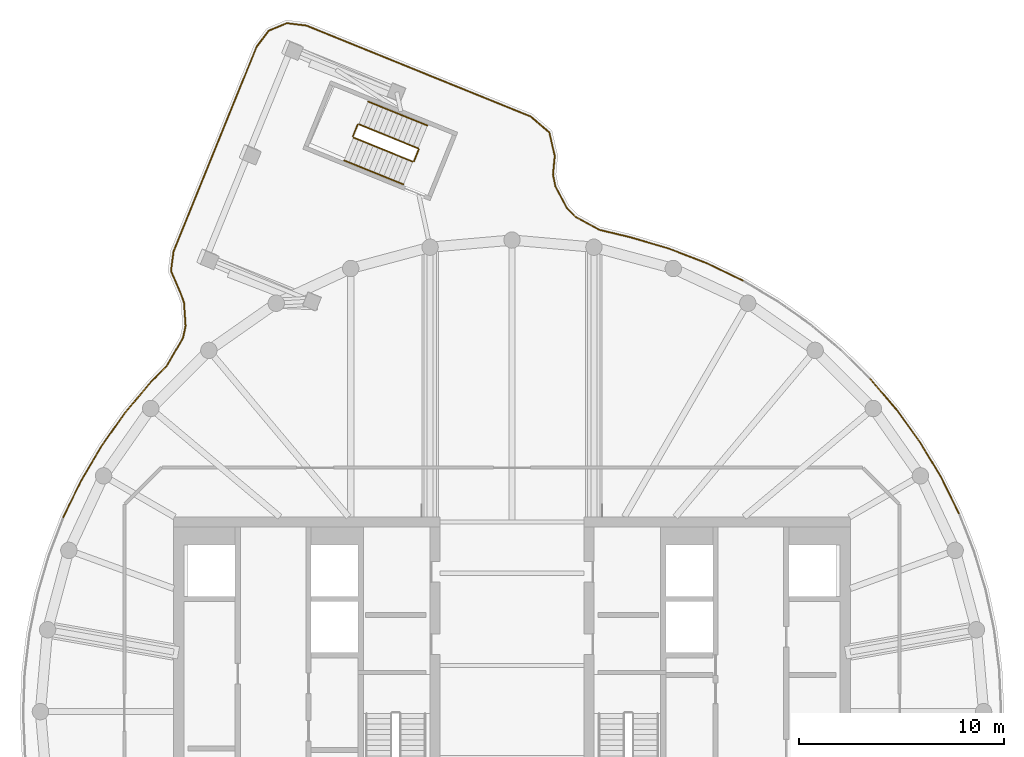
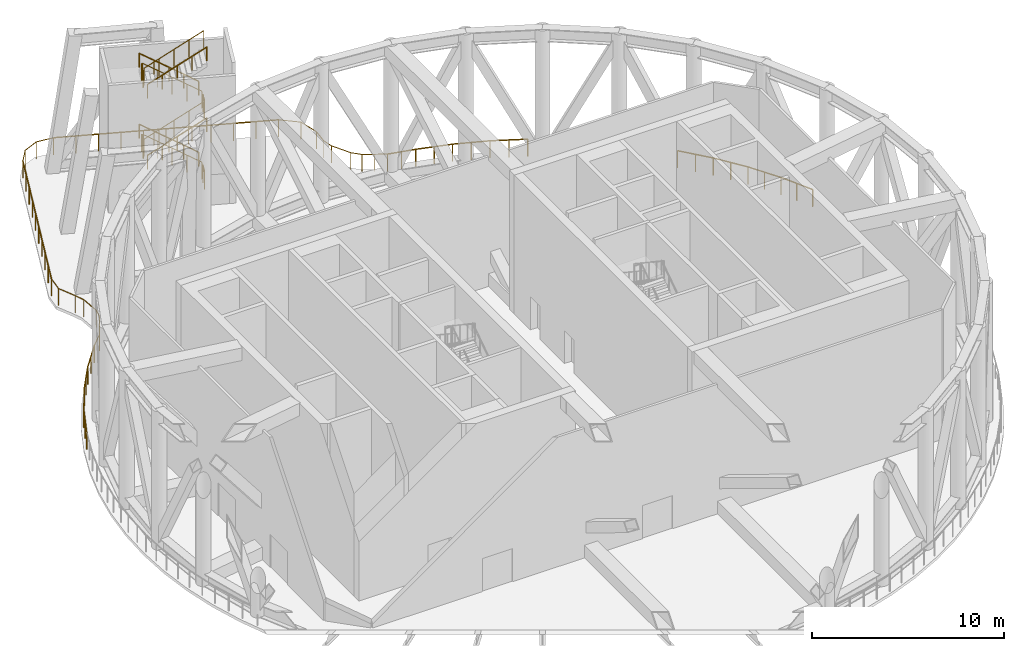
# One storey, part 9 of 10: 20 railings.
"""IFC4 building model written with IfcOpenShell, lengths in metres."""

import ifcopenshell
import ifcopenshell.guid

model = None  # the IFC model being written
_history = None  # IfcOwnerHistory: only IFC2X3 demands one
_inside = {}  # id of a spatial element -> (the spatial element, [elements in it])
_under = {}  # id of a project, library or spatial element -> (it, [spatial elements below it])
_declared = {}  # id of a project -> (the project, [libraries it declares])
_typed = {}  # id of a type object -> (the type object, [elements of that type])
_made_of = {}  # id of a material, layer set ... -> (it, [elements and type objects made of it])


def new_model(schema):
    """Start an empty IFC model of exactly this schema.

    Asked for "IFC4X3", IfcOpenShell would pick the latest addendum, in which some entities
    have other attributes; the version numbers below select the first issue.
    IFC2X3 requires an IfcOwnerHistory on every rooted entity: one is made here for all.
    """
    global model, _history
    if schema == "IFC4X3":
        model = ifcopenshell.file(schema_version=(4, 3, 0, 0))
    else:
        model = ifcopenshell.file(schema=schema)
    _inside.clear()
    _under.clear()
    _declared.clear()
    _typed.clear()
    _made_of.clear()
    _history = None
    if model.schema == "IFC2X3":
        org = make("IfcOrganization", Name="unknown")
        user = make(
            "IfcPersonAndOrganization",
            ThePerson=make("IfcPerson", FamilyName="unknown"),
            TheOrganization=org,
        )
        app = make(
            "IfcApplication",
            ApplicationDeveloper=org,
            Version="unknown",
            ApplicationFullName="unknown",
            ApplicationIdentifier="unknown",
        )
        _history = make(
            "IfcOwnerHistory",
            OwningUser=user,
            OwningApplication=app,
            ChangeAction="ADDED",
            CreationDate=0,
        )
    return model


def make(cls, **values):
    """One entity of the class cls with the attributes given. An attribute that is None is left unset."""
    return model.create_entity(
        cls, **{name: value for name, value in values.items() if value is not None}
    )


def rooted(cls, **values):
    """An entity with a GlobalId (a new one), such as an element, a storey or a relation."""
    return make(cls, GlobalId=ifcopenshell.guid.new(), OwnerHistory=_history, **values)


def si_unit(unit_type, name, prefix=None):
    """IfcSIUnit, for example si_unit("LENGTHUNIT", "METRE", prefix="MILLI")."""
    return make("IfcSIUnit", UnitType=unit_type, Prefix=prefix, Name=name)


def assignment(units):
    """IfcUnitAssignment: the units of a project."""
    return None if units is None else make("IfcUnitAssignment", Units=units)


def point(xyz):
    """IfcCartesianPoint."""
    return None if xyz is None else make("IfcCartesianPoint", Coordinates=xyz)


def direction(xyz):
    """IfcDirection."""
    return None if xyz is None else make("IfcDirection", DirectionRatios=xyz)


def frame(location, z_axis=None, x_axis=None):
    """IfcAxis2Placement3D, a coordinate frame: its origin and axes. An axis left out is left unset."""
    return make(
        "IfcAxis2Placement3D",
        Location=point(location),
        Axis=direction(z_axis),
        RefDirection=direction(x_axis),
    )


def frame_2d(location, x_axis=None):
    """IfcAxis2Placement2D, a coordinate frame in the plane: its origin and x axis."""
    return make(
        "IfcAxis2Placement2D", Location=point(location), RefDirection=direction(x_axis)
    )


def origin():
    """The frame at (0, 0, 0) with its axes left unset."""
    return frame((0.0, 0.0, 0.0))


def origin_2d():
    """The frame at (0, 0) in the plane with its x axis left unset."""
    return frame_2d((0.0, 0.0))


def place(relative_to, where):
    """IfcLocalPlacement: puts the frame where relative to a parent placement (None: the world)."""
    return make(
        "IfcLocalPlacement", PlacementRelTo=relative_to, RelativePlacement=where
    )


def context(
    kind, dimensions, precision=None, world=None, true_north=None, identifier=None
):
    """IfcGeometricRepresentationContext, for example the 3D "Model" context."""
    return make(
        "IfcGeometricRepresentationContext",
        ContextIdentifier=identifier,
        ContextType=kind,
        CoordinateSpaceDimension=dimensions,
        Precision=precision,
        WorldCoordinateSystem=world,
        TrueNorth=true_north,
    )


def subcontext(parent, identifier, kind, view, scale=None):
    """IfcGeometricRepresentationSubContext, for example "Body" below "Model"."""
    return make(
        "IfcGeometricRepresentationSubContext",
        ContextIdentifier=identifier,
        ContextType=kind,
        ParentContext=parent,
        TargetScale=scale,
        TargetView=view,
    )


def project(units=None, contexts=None):
    """IfcProject with its units and contexts."""
    return rooted(
        "IfcProject",
        Name="project",
        RepresentationContexts=contexts,
        UnitsInContext=assignment(units),
    )


def spatial(cls, under=None, at=None, **own):
    """A site, building, storey or space (cls), placed at a placement, below another one or the project."""
    s = rooted(cls, ObjectPlacement=at, **own)
    if under is not None:
        _under.setdefault(under.id(), (under, []))[1].append(s)
    return s


def profile(cls, at=None, kind="AREA", **sizes):
    """A parametric profile (cls). Its sizes go by their IFC names, for example OverallWidth=200.0."""
    return make(cls, ProfileType=kind, Position=at, **sizes)


def circle(**sizes):
    """IfcCircleProfileDef."""
    return profile("IfcCircleProfileDef", **sizes)


def extrude(swept, where, along, depth):
    """IfcExtrudedAreaSolid: the profile swept, set in the frame where, extruded along a direction by depth."""
    return make(
        "IfcExtrudedAreaSolid",
        SweptArea=swept,
        Position=where,
        ExtrudedDirection=direction(along),
        Depth=depth,
    )


def shape(context_of_items, identifier, shape_type, items):
    """IfcShapeRepresentation: the items that make up one representation, for example the "Body"."""
    return make(
        "IfcShapeRepresentation",
        ContextOfItems=context_of_items,
        RepresentationIdentifier=identifier,
        RepresentationType=shape_type,
        Items=items,
    )


def material(Name=None, Category=None):
    """IfcMaterial."""
    return make("IfcMaterial", Name=Name, Category=Category)


def made_of(thing, what):
    """Note that an element or type object is made of a material, layer set ...; save() writes the relation."""
    if what is not None:
        _made_of.setdefault(what.id(), (what, []))[1].append(thing)
    return thing


def type_object(cls, material=None, **own):
    """A type object (cls), such as IfcWallType, which elements share."""
    return made_of(rooted(cls, **own), material)


def element(
    cls,
    number,
    at=None,
    inside=None,
    cuts=None,
    type_object=None,
    material=None,
    context=None,
    identifier="Body",
    shape_type=None,
    held_by="IfcProductDefinitionShape",
    body=None,
    shapes=None,
    **own,
):
    """One element of the class cls, such as IfcWall. Its Tag is "e" and its number.

    at: its placement. inside: the storey or other place that contains it. cuts: it is an
    opening in that element (IfcRelVoidsElement). A single representation is given by context,
    identifier, shape_type and body (its items); several are given by shapes. held_by: the class
    of the entity that holds the representations. save() writes the other relations.
    """
    e = rooted(cls, Tag="e%d" % number, ObjectPlacement=at, **own)
    if body is not None:
        shapes = [shape(context, identifier, shape_type, body)]
    if shapes is not None:
        e.Representation = make(held_by, Representations=shapes)
    if inside is not None:
        _inside.setdefault(inside.id(), (inside, []))[1].append(e)
    if cuts is not None:
        rooted(
            "IfcRelVoidsElement", RelatingBuildingElement=cuts, RelatedOpeningElement=e
        )
    if type_object is not None:
        _typed.setdefault(type_object.id(), (type_object, []))[1].append(e)
    return made_of(e, material)


def aggregate(whole, parts):
    """IfcRelAggregates: a whole, such as a stair, and the parts it consists of."""
    return rooted("IfcRelAggregates", RelatingObject=whole, RelatedObjects=parts)


def save(model, path):
    """Write the relations noted so far, then the file.

    IfcRelAggregates (storeys below a building ...), IfcRelContainedInSpatialStructure (elements
    in a storey), IfcRelDefinesByType, IfcRelAssociatesMaterial and IfcRelDeclares: one each for
    every whole, place, type object, material and project.
    """
    for whole, parts in _under.values():
        aggregate(whole, parts)
    for where, things in _inside.values():
        rooted(
            "IfcRelContainedInSpatialStructure",
            RelatedElements=things,
            RelatingStructure=where,
        )
    for kind, things in _typed.values():
        rooted("IfcRelDefinesByType", RelatedObjects=things, RelatingType=kind)
    for what, things in _made_of.values():
        rooted("IfcRelAssociatesMaterial", RelatedObjects=things, RelatingMaterial=what)
    for by, libraries in _declared.values():
        rooted("IfcRelDeclares", RelatingContext=by, RelatedDefinitions=libraries)
    model.write(path)


model = new_model("IFC4")

# Units and contexts
model_context = context("Model", 3, precision=1e-05, world=origin(), true_north=direction((0.0, 1.0)))
body_context = subcontext(model_context, "Body", "Model", "MODEL_VIEW")
ifc_project = project(units=[si_unit("LENGTHUNIT", "METRE"), si_unit("AREAUNIT", "SQUARE_METRE"), si_unit("VOLUMEUNIT", "CUBIC_METRE"), si_unit("PLANEANGLEUNIT", "RADIAN"), si_unit("MASSUNIT", "GRAM", prefix="KILO")], contexts=[model_context])

# Site, building, storey
site_placement = place(None, origin())
site = spatial("IfcSite", under=ifc_project, at=site_placement, CompositionType="ELEMENT")
building_placement = place(site_placement, origin())
building = spatial("IfcBuilding", under=site, at=building_placement, Name="Tamarind Cross Interchange Tower", CompositionType="ELEMENT")
storey_placement = place(building_placement, frame((0.0, 0.0, 278.39990234375)))
storey = spatial("IfcBuildingStorey", under=building, at=storey_placement, Name="L71", CompositionType="ELEMENT", Elevation=278.39990234375)

# Railings
ifc_material_1 = material(Name="Stainless steel and laminated glass", Category="steel")
railing_type_1 = type_object("IfcRailingType", Name="Balcony guard", PredefinedType="BALUSTRADE", material=ifc_material_1)
railing_1_placement = place(storey_placement, frame((-12.454833984375, 32.428955078125, 0.0)))
element("IfcRailing", 1, at=railing_1_placement, inside=storey, type_object=railing_type_1, Name="Portal guard 00-00", PredefinedType="BALUSTRADE", context=body_context, shape_type="SweptSolid", body=[
    extrude(circle(Radius=0.02490234375, at=origin_2d()), frame((0.0, 0.0, 1.0751953125), z_axis=(-0.376030055076, -0.926607466881, 0.0), x_axis=(0.926607466881, -0.376030055076, 0.0)), (0.0, 0.0, 1.0), 10.777099609375),
    extrude(circle(Radius=0.02001953125, at=origin_2d()), origin(), (0.0, 0.0, 1.0), 1.050048828125),
    extrude(circle(Radius=0.02001953125, at=origin_2d()), frame((-0.4501953125, -1.109619140625, 0.0)), (0.0, 0.0, 1.0), 1.050048828125),
    extrude(circle(Radius=0.02001953125, at=origin_2d()), frame((-0.900634765625, -2.21923828125, 0.0)), (0.0, 0.0, 1.0), 1.050048828125),
    extrude(circle(Radius=0.02001953125, at=origin_2d()), frame((-1.350830078125, -3.32861328125, 0.0)), (0.0, 0.0, 1.0), 1.050048828125),
    extrude(circle(Radius=0.02001953125, at=origin_2d()), frame((-1.801025390625, -4.438232421875, 0.0)), (0.0, 0.0, 1.0), 1.050048828125),
    extrude(circle(Radius=0.02001953125, at=origin_2d()), frame((-2.25146484375, -5.5478515625, 0.0)), (0.0, 0.0, 1.0), 1.050048828125),
    extrude(circle(Radius=0.02001953125, at=origin_2d()), frame((-2.70166015625, -6.657470703125, 0.0)), (0.0, 0.0, 1.0), 1.050048828125),
    extrude(circle(Radius=0.02001953125, at=origin_2d()), frame((-3.15185546875, -7.766845703125, 0.0)), (0.0, 0.0, 1.0), 1.050048828125),
    extrude(circle(Radius=0.02001953125, at=origin_2d()), frame((-3.602294921875, -8.87646484375, 0.0)), (0.0, 0.0, 1.0), 1.050048828125),
    extrude(circle(Radius=0.02001953125, at=origin_2d()), frame((-4.052490234375, -9.986083984375, 0.0)), (0.0, 0.0, 1.0), 1.050048828125),
])
railing_2_placement = place(storey_placement, frame((-16.50732421875, 22.44287109375, 0.0)))
element("IfcRailing", 2, at=railing_2_placement, inside=storey, type_object=railing_type_1, Name="Portal guard 01-00", PredefinedType="BALUSTRADE", context=body_context, shape_type="SweptSolid", body=[
    extrude(circle(Radius=0.02490234375, at=origin_2d()), frame((0.0, 0.0, 1.0751953125), z_axis=(-0.129174826818, -0.991621835236, 0.0), x_axis=(0.991621835236, -0.129174826818, 0.0)), (0.0, 0.0, 1.0), 0.95263671875),
    extrude(circle(Radius=0.02490234375, at=origin_2d()), frame((-0.123046875, -0.944580078125, 1.0751953125), z_axis=(0.39743738831, -0.917629294636, 0.0), x_axis=(0.917629294636, 0.39743738831, 0.0)), (0.0, 0.0, 1.0), 1.087890625),
    extrude(circle(Radius=0.02490234375, at=origin_2d()), frame((0.309326171875, -1.94287109375, 1.0751953125), z_axis=(0.346706888158, -0.937973525055, 0.0), x_axis=(0.937973525055, 0.346706888158, 0.0)), (0.0, 0.0, 1.0), 0.575927734375),
    extrude(circle(Radius=0.02490234375, at=origin_2d()), frame((0.509033203125, -2.483154296875, 1.0751953125), z_axis=(0.068889118664, -0.997624322744, 0.0), x_axis=(0.997624322744, 0.068889118664, 0.0)), (0.0, 0.0, 1.0), 1.1552734375),
    extrude(circle(Radius=0.02490234375, at=origin_2d()), frame((0.588623046875, -3.6357421875, 1.0751953125), z_axis=(-0.213978045019, -0.976838469886, 0.0), x_axis=(0.976838469886, -0.213978045019, 0.0)), (0.0, 0.0, 1.0), 0.595703125),
    extrude(circle(Radius=0.02490234375, at=origin_2d()), frame((0.461181640625, -4.217529296875, 1.0751953125), z_axis=(-0.502668829947, -0.864479061284, 0.0), x_axis=(0.864479061284, -0.502668829947, 0.0)), (0.0, 0.0, 1.0), 1.578857421875),
    extrude(circle(Radius=0.02490234375, at=origin_2d()), frame((-0.33251953125, -5.58251953125, 1.0751953125), z_axis=(-0.701547147526, -0.712623041866, 0.0), x_axis=(0.712623041866, -0.701547147526, 0.0)), (0.0, 0.0, 1.0), 1.10205078125),
    extrude(circle(Radius=0.02001953125, at=origin_2d()), origin(), (0.0, 0.0, 1.0), 1.050048828125),
    extrude(circle(Radius=0.02001953125, at=origin_2d()), frame((-0.123046875, -0.944580078125, 0.0)), (0.0, 0.0, 1.0), 1.050048828125),
    extrude(circle(Radius=0.02001953125, at=origin_2d()), frame((0.309326171875, -1.94287109375, 0.0)), (0.0, 0.0, 1.0), 1.050048828125),
    extrude(circle(Radius=0.02001953125, at=origin_2d()), frame((0.509033203125, -2.483154296875, 0.0)), (0.0, 0.0, 1.0), 1.050048828125),
    extrude(circle(Radius=0.02001953125, at=origin_2d()), frame((0.588623046875, -3.6357421875, 0.0)), (0.0, 0.0, 1.0), 1.050048828125),
    extrude(circle(Radius=0.02001953125, at=origin_2d()), frame((0.461181640625, -4.217529296875, 0.0)), (0.0, 0.0, 1.0), 1.050048828125),
    extrude(circle(Radius=0.02001953125, at=origin_2d()), frame((0.064453125, -4.89990234375, 0.0)), (0.0, 0.0, 1.0), 1.050048828125),
    extrude(circle(Radius=0.02001953125, at=origin_2d()), frame((-0.33251953125, -5.58251953125, 0.0)), (0.0, 0.0, 1.0), 1.050048828125),
    extrude(circle(Radius=0.02001953125, at=origin_2d()), frame((-1.105712890625, -6.367919921875, 0.0)), (0.0, 0.0, 1.0), 1.050048828125),
])
railing_3_placement = place(storey_placement, frame((-17.613037109375, 16.074951171875, 0.0)))
element("IfcRailing", 3, at=railing_3_placement, inside=storey, type_object=railing_type_1, Name="Portal guard 01-01", PredefinedType="BALUSTRADE", context=body_context, shape_type="SweptSolid", body=[
    extrude(circle(Radius=0.02490234375, at=origin_2d()), frame((0.0, 0.0, 1.0751953125), z_axis=(-0.643006182942, -0.76586098523, 0.0), x_axis=(0.76586098523, -0.643006182942, 0.0)), (0.0, 0.0, 1.0), 1.971435546875),
    extrude(circle(Radius=0.02490234375, at=origin_2d()), frame((-1.267578125, -1.509765625, 1.0751953125), z_axis=(-0.577529164002, -0.816370053791, 0.0), x_axis=(0.816370053791, -0.577529164002, 0.0)), (0.0, 0.0, 1.0), 1.970703125),
    extrude(circle(Radius=0.02490234375, at=origin_2d()), frame((-2.40576171875, -3.11865234375, 1.0751953125), z_axis=(-0.508270152501, -0.861197684667, 0.0), x_axis=(0.861197684667, -0.508270152501, 0.0)), (0.0, 0.0, 1.0), 1.970703125),
    extrude(circle(Radius=0.02490234375, at=origin_2d()), frame((-3.407470703125, -4.81591796875, 1.0751953125), z_axis=(-0.435282458777, -0.900293941489, 0.0), x_axis=(0.900293941489, -0.435282458777, 0.0)), (0.0, 0.0, 1.0), 1.970947265625),
    extrude(circle(Radius=0.02001953125, at=origin_2d()), origin(), (0.0, 0.0, 1.0), 1.050048828125),
    extrude(circle(Radius=0.02001953125, at=origin_2d()), frame((-0.6337890625, -0.7548828125, 0.0)), (0.0, 0.0, 1.0), 1.050048828125),
    extrude(circle(Radius=0.02001953125, at=origin_2d()), frame((-1.267578125, -1.509765625, 0.0)), (0.0, 0.0, 1.0), 1.050048828125),
    extrude(circle(Radius=0.02001953125, at=origin_2d()), frame((-1.836669921875, -2.314208984375, 0.0)), (0.0, 0.0, 1.0), 1.050048828125),
    extrude(circle(Radius=0.02001953125, at=origin_2d()), frame((-2.40576171875, -3.11865234375, 0.0)), (0.0, 0.0, 1.0), 1.050048828125),
    extrude(circle(Radius=0.02001953125, at=origin_2d()), frame((-2.90673828125, -3.96728515625, 0.0)), (0.0, 0.0, 1.0), 1.050048828125),
    extrude(circle(Radius=0.02001953125, at=origin_2d()), frame((-3.407470703125, -4.81591796875, 0.0)), (0.0, 0.0, 1.0), 1.050048828125),
    extrude(circle(Radius=0.02001953125, at=origin_2d()), frame((-3.83642578125, -5.703125, 0.0)), (0.0, 0.0, 1.0), 1.050048828125),
    extrude(circle(Radius=0.02001953125, at=origin_2d()), frame((-4.265380859375, -6.59033203125, 0.0)), (0.0, 0.0, 1.0), 1.050048828125),
])
railing_4_placement = place(storey_placement, frame((21.7958984375, 9.672607421875, 0.0)))
element("IfcRailing", 4, at=railing_4_placement, inside=storey, type_object=railing_type_1, Name="Portal guard 01-14", PredefinedType="BALUSTRADE", context=body_context, shape_type="SweptSolid", body=[
    extrude(circle(Radius=0.02490234375, at=origin_2d()), frame((0.0, 0.0, 1.0751953125), z_axis=(-0.442996699575, 0.896523242401, 0.0), x_axis=(-0.896523242401, -0.442996699575, 0.0)), (0.0, 0.0, 1.0), 1.970703125),
    extrude(circle(Radius=0.02490234375, at=origin_2d()), frame((-0.873046875, 1.766845703125, 1.0751953125), z_axis=(-0.515661093256, 0.85679264522, 0.0), x_axis=(-0.85679264522, -0.515661093256, 0.0)), (0.0, 0.0, 1.0), 1.970947265625),
    extrude(circle(Radius=0.02490234375, at=origin_2d()), frame((-1.889404296875, 3.45556640625, 1.0751953125), z_axis=(-0.584549440049, 0.811358091189, 0.0), x_axis=(-0.811358091189, -0.584549440049, 0.0)), (0.0, 0.0, 1.0), 1.970947265625),
    extrude(circle(Radius=0.02490234375, at=origin_2d()), frame((-3.04150390625, 5.0546875, 1.0751953125), z_axis=(-0.649555984411, 0.760313766228, 0.0), x_axis=(-0.760313766228, -0.649555984411, 0.0)), (0.0, 0.0, 1.0), 1.970703125),
    extrude(circle(Radius=0.02001953125, at=origin_2d()), origin(), (0.0, 0.0, 1.0), 1.050048828125),
    extrude(circle(Radius=0.02001953125, at=origin_2d()), frame((-0.4365234375, 0.88330078125, 0.0)), (0.0, 0.0, 1.0), 1.050048828125),
    extrude(circle(Radius=0.02001953125, at=origin_2d()), frame((-0.873046875, 1.766845703125, 0.0)), (0.0, 0.0, 1.0), 1.050048828125),
    extrude(circle(Radius=0.02001953125, at=origin_2d()), frame((-1.38134765625, 2.611328125, 0.0)), (0.0, 0.0, 1.0), 1.050048828125),
    extrude(circle(Radius=0.02001953125, at=origin_2d()), frame((-1.889404296875, 3.45556640625, 0.0)), (0.0, 0.0, 1.0), 1.050048828125),
    extrude(circle(Radius=0.02001953125, at=origin_2d()), frame((-2.46533203125, 4.255126953125, 0.0)), (0.0, 0.0, 1.0), 1.050048828125),
    extrude(circle(Radius=0.02001953125, at=origin_2d()), frame((-3.04150390625, 5.0546875, 0.0)), (0.0, 0.0, 1.0), 1.050048828125),
    extrude(circle(Radius=0.02001953125, at=origin_2d()), frame((-3.681640625, 5.8037109375, 0.0)), (0.0, 0.0, 1.0), 1.050048828125),
    extrude(circle(Radius=0.02001953125, at=origin_2d()), frame((-4.321533203125, 6.552978515625, 0.0)), (0.0, 0.0, 1.0), 1.050048828125),
])
railing_5_placement = place(storey_placement, frame((11.259033203125, 21.0205078125, 0.0)))
element("IfcRailing", 5, at=railing_5_placement, inside=storey, type_object=railing_type_1, Name="Portal guard 01-16", PredefinedType="BALUSTRADE", context=body_context, shape_type="SweptSolid", body=[
    extrude(circle(Radius=0.02490234375, at=origin_2d()), frame((0.0, 0.0, 1.0751953125), z_axis=(-0.900293941489, 0.435282458777, 0.0), x_axis=(-0.435282458777, -0.900293941489, 0.0)), (0.0, 0.0, 1.0), 1.970947265625),
    extrude(circle(Radius=0.02490234375, at=origin_2d()), frame((-1.7744140625, 0.85791015625, 1.0751953125), z_axis=(-0.933150716846, 0.359485381692, 0.0), x_axis=(-0.359485381692, -0.933150716846, 0.0)), (0.0, 0.0, 1.0), 1.970947265625),
    extrude(circle(Radius=0.02490234375, at=origin_2d()), frame((-3.613525390625, 1.56640625, 1.0751953125), z_axis=(-0.959638907577, 0.281235074384, 0.0), x_axis=(-0.281235074384, -0.959638907577, 0.0)), (0.0, 0.0, 1.0), 1.97314453125),
    extrude(circle(Radius=0.02490234375, at=origin_2d()), frame((-5.507080078125, 2.121337890625, 1.0751953125), z_axis=(-0.972620560189, 0.232398893924, 0.0), x_axis=(-0.232398893924, -0.972620560189, 0.0)), (0.0, 0.0, 1.0), 1.5263671875),
    extrude(circle(Radius=0.02001953125, at=origin_2d()), origin(), (0.0, 0.0, 1.0), 1.050048828125),
    extrude(circle(Radius=0.02001953125, at=origin_2d()), frame((-0.88720703125, 0.428955078125, 0.0)), (0.0, 0.0, 1.0), 1.050048828125),
    extrude(circle(Radius=0.02001953125, at=origin_2d()), frame((-1.7744140625, 0.85791015625, 0.0)), (0.0, 0.0, 1.0), 1.050048828125),
    extrude(circle(Radius=0.02001953125, at=origin_2d()), frame((-2.69384765625, 1.212158203125, 0.0)), (0.0, 0.0, 1.0), 1.050048828125),
    extrude(circle(Radius=0.02001953125, at=origin_2d()), frame((-3.613525390625, 1.56640625, 0.0)), (0.0, 0.0, 1.0), 1.050048828125),
    extrude(circle(Radius=0.02001953125, at=origin_2d()), frame((-4.560302734375, 1.84375, 0.0)), (0.0, 0.0, 1.0), 1.050048828125),
    extrude(circle(Radius=0.02001953125, at=origin_2d()), frame((-5.507080078125, 2.121337890625, 0.0)), (0.0, 0.0, 1.0), 1.050048828125),
    extrude(circle(Radius=0.02001953125, at=origin_2d()), frame((-6.24951171875, 2.298828125, 0.0)), (0.0, 0.0, 1.0), 1.050048828125),
    extrude(circle(Radius=0.02001953125, at=origin_2d()), frame((-6.99169921875, 2.47607421875, 0.0)), (0.0, 0.0, 1.0), 1.050048828125),
])
railing_6_placement = place(storey_placement, frame((4.267333984375, 23.49658203125, 0.0)))
element("IfcRailing", 6, at=railing_6_placement, inside=storey, type_object=railing_type_1, Name="Portal guard 01-17", PredefinedType="BALUSTRADE", context=body_context, shape_type="SweptSolid", body=[
    extrude(circle(Radius=0.02490234375, at=origin_2d()), frame((0.0, 0.0, 1.0751953125), z_axis=(-0.878478483598, 0.477781910347, 0.0), x_axis=(-0.477781910347, -0.878478483598, 0.0)), (0.0, 0.0, 1.0), 1.3271484375),
    extrude(circle(Radius=0.02490234375, at=origin_2d()), frame((-1.165771484375, 0.634033203125, 1.0751953125), z_axis=(-0.703879875182, 0.710319027842, 0.0), x_axis=(-0.710319027842, -0.703879875182, 0.0)), (0.0, 0.0, 1.0), 0.606689453125),
    extrude(circle(Radius=0.02490234375, at=origin_2d()), frame((-1.5927734375, 1.06494140625, 1.0751953125), z_axis=(-0.47004123202, 0.882644458545, 0.0), x_axis=(-0.882644458545, -0.47004123202, 0.0)), (0.0, 0.0, 1.0), 1.181640625),
    extrude(circle(Radius=0.02490234375, at=origin_2d()), frame((-2.148193359375, 2.10791015625, 1.0751953125), z_axis=(-0.196348256365, 0.980534222872, 0.0), x_axis=(-0.980534222872, -0.196348256365, 0.0)), (0.0, 0.0, 1.0), 0.606689453125),
    extrude(circle(Radius=0.02490234375, at=origin_2d()), frame((-2.267333984375, 2.702880859375, 1.0751953125), z_axis=(0.093776026519, 0.995593319006, 0.0), x_axis=(-0.995593319006, 0.093776026519, 0.0)), (0.0, 0.0, 1.0), 0.9033203125),
    extrude(circle(Radius=0.02490234375, at=origin_2d()), frame((-2.1826171875, 3.602294921875, 1.0751953125), z_axis=(-0.224000766011, 0.974588968143, 0.0), x_axis=(-0.974588968143, -0.224000766011, 0.0)), (0.0, 0.0, 1.0), 1.18359375),
    extrude(circle(Radius=0.02490234375, at=origin_2d()), frame((-2.44775390625, 4.755859375, 1.0751953125), z_axis=(-0.761363900113, 0.648324773247, 0.0), x_axis=(-0.648324773247, -0.761363900113, 0.0)), (0.0, 0.0, 1.0), 1.18359375),
    extrude(circle(Radius=0.02001953125, at=origin_2d()), origin(), (0.0, 0.0, 1.0), 1.050048828125),
    extrude(circle(Radius=0.02001953125, at=origin_2d()), frame((-0.5830078125, 0.31689453125, 0.0)), (0.0, 0.0, 1.0), 1.050048828125),
    extrude(circle(Radius=0.02001953125, at=origin_2d()), frame((-1.165771484375, 0.634033203125, 0.0)), (0.0, 0.0, 1.0), 1.050048828125),
    extrude(circle(Radius=0.02001953125, at=origin_2d()), frame((-1.5927734375, 1.06494140625, 0.0)), (0.0, 0.0, 1.0), 1.050048828125),
    extrude(circle(Radius=0.02001953125, at=origin_2d()), frame((-2.148193359375, 2.10791015625, 0.0)), (0.0, 0.0, 1.0), 1.050048828125),
    extrude(circle(Radius=0.02001953125, at=origin_2d()), frame((-2.267333984375, 2.702880859375, 0.0)), (0.0, 0.0, 1.0), 1.050048828125),
    extrude(circle(Radius=0.02001953125, at=origin_2d()), frame((-2.1826171875, 3.602294921875, 0.0)), (0.0, 0.0, 1.0), 1.050048828125),
    extrude(circle(Radius=0.02001953125, at=origin_2d()), frame((-2.44775390625, 4.755859375, 0.0)), (0.0, 0.0, 1.0), 1.050048828125),
    extrude(circle(Radius=0.02001953125, at=origin_2d()), frame((-3.348876953125, 5.523193359375, 0.0)), (0.0, 0.0, 1.0), 1.050048828125),
])
railing_7_placement = place(storey_placement, frame((0.91845703125, 29.019775390625, 0.0)))
element("IfcRailing", 7, at=railing_7_placement, inside=storey, type_object=railing_type_1, Name="Portal guard 02-00", PredefinedType="BALUSTRADE", context=body_context, shape_type="SweptSolid", body=[
    extrude(circle(Radius=0.02490234375, at=origin_2d()), frame((0.0, 0.0, 1.0751953125), z_axis=(-0.926606472485, 0.376032505441, 0.0), x_axis=(-0.376032505441, -0.926606472485, 0.0)), (0.0, 0.0, 1.0), 11.80419921875),
    extrude(circle(Radius=0.02001953125, at=origin_2d()), origin(), (0.0, 0.0, 1.0), 1.050048828125),
    extrude(circle(Radius=0.02001953125, at=origin_2d()), frame((-1.09375, 0.44384765625, 0.0)), (0.0, 0.0, 1.0), 1.050048828125),
    extrude(circle(Radius=0.02001953125, at=origin_2d()), frame((-2.1875, 0.8876953125, 0.0)), (0.0, 0.0, 1.0), 1.050048828125),
    extrude(circle(Radius=0.02001953125, at=origin_2d()), frame((-3.28125, 1.33154296875, 0.0)), (0.0, 0.0, 1.0), 1.050048828125),
    extrude(circle(Radius=0.02001953125, at=origin_2d()), frame((-4.375, 1.775390625, 0.0)), (0.0, 0.0, 1.0), 1.050048828125),
    extrude(circle(Radius=0.02001953125, at=origin_2d()), frame((-5.46875, 2.21923828125, 0.0)), (0.0, 0.0, 1.0), 1.050048828125),
    extrude(circle(Radius=0.02001953125, at=origin_2d()), frame((-6.562744140625, 2.663330078125, 0.0)), (0.0, 0.0, 1.0), 1.050048828125),
    extrude(circle(Radius=0.02001953125, at=origin_2d()), frame((-7.656494140625, 3.107177734375, 0.0)), (0.0, 0.0, 1.0), 1.050048828125),
    extrude(circle(Radius=0.02001953125, at=origin_2d()), frame((-8.750244140625, 3.551025390625, 0.0)), (0.0, 0.0, 1.0), 1.050048828125),
    extrude(circle(Radius=0.02001953125, at=origin_2d()), frame((-9.843994140625, 3.994873046875, 0.0)), (0.0, 0.0, 1.0), 1.050048828125),
    extrude(circle(Radius=0.02001953125, at=origin_2d()), frame((-10.937744140625, 4.438720703125, 0.0)), (0.0, 0.0, 1.0), 1.050048828125),
])
railing_8_placement = place(storey_placement, frame((-10.019287109375, 33.45849609375, 0.0)))
element("IfcRailing", 8, at=railing_8_placement, inside=storey, type_object=railing_type_1, Name="Portal guard 02-01", PredefinedType="BALUSTRADE", context=body_context, shape_type="SweptSolid", body=[
    extrude(circle(Radius=0.02490234375, at=origin_2d()), frame((0.0, 0.0, 1.0751953125), z_axis=(-0.992354713601, 0.123418484815, 0.0), x_axis=(-0.123418484815, -0.992354713601, 0.0)), (0.0, 0.0, 1.0), 0.975341796875),
    extrude(circle(Radius=0.02490234375, at=origin_2d()), frame((-0.9677734375, 0.120361328125, 1.0751953125), z_axis=(-0.921090697301, -0.38934807993, 0.0), x_axis=(0.38934807993, -0.921090697301, 0.0)), (0.0, 0.0, 1.0), 0.955078125),
    extrude(circle(Radius=0.02490234375, at=origin_2d()), frame((-1.847412109375, -0.25146484375, 1.0751953125), z_axis=(-0.602999504249, -0.79774156083, 0.0), x_axis=(0.79774156083, -0.602999504249, 0.0)), (0.0, 0.0, 1.0), 0.975341796875),
    extrude(circle(Radius=0.02001953125, at=origin_2d()), origin(), (0.0, 0.0, 1.0), 1.050048828125),
    extrude(circle(Radius=0.02001953125, at=origin_2d()), frame((-0.9677734375, 0.120361328125, 0.0)), (0.0, 0.0, 1.0), 1.050048828125),
    extrude(circle(Radius=0.02001953125, at=origin_2d()), frame((-1.847412109375, -0.25146484375, 0.0)), (0.0, 0.0, 1.0), 1.050048828125),
    extrude(circle(Radius=0.02001953125, at=origin_2d()), frame((-2.435546875, -1.029541015625, 0.0)), (0.0, 0.0, 1.0), 1.050048828125),
])
ifc_material_2 = material(Name="Stair guard")
railing_type_2 = type_object("IfcRailingType", Name="Stair guard", PredefinedType="GUARDRAIL", material=ifc_material_2)
railing_9_placement = place(storey_placement, frame((-4.577880859375, 27.47314453125, 0.173095703125)))
element("IfcRailing", 9, at=railing_9_placement, inside=storey, type_object=railing_type_2, Name="L71 ST4 stair guard 1", PredefinedType="GUARDRAIL", context=body_context, shape_type="SweptSolid", body=[
    extrude(circle(Radius=0.02392578125, at=origin_2d()), frame((0.0, 0.0, 1.076171875), z_axis=(-0.771355256695, 0.312984462795, 0.554122544224), x_axis=(-0.37598662103, -0.926625091829, 0.0)), (0.0, 0.0, 1.0), 3.748046875),
    extrude(circle(Radius=0.02099609375, at=origin_2d()), origin(), (0.0, 0.0, 1.0), 1.052001953125),
    extrude(circle(Radius=0.02099609375, at=origin_2d()), frame((-0.72265625, 0.293212890625, 0.519287109375)), (0.0, 0.0, 1.0), 1.052001953125),
    extrude(circle(Radius=0.02099609375, at=origin_2d()), frame((-1.445556640625, 0.58642578125, 1.03857421875)), (0.0, 0.0, 1.0), 1.052001953125),
    extrude(circle(Radius=0.02099609375, at=origin_2d()), frame((-2.16845703125, 0.8798828125, 1.5576171875)), (0.0, 0.0, 1.0), 1.052001953125),
    extrude(circle(Radius=0.02099609375, at=origin_2d()), frame((-2.89111328125, 1.173095703125, 2.076904296875)), (0.0, 0.0, 1.0), 1.052001953125),
])
railing_10_placement = place(storey_placement, frame((-7.5341796875, 28.618896484375, 2.25)))
element("IfcRailing", 10, at=railing_10_placement, inside=storey, type_object=railing_type_2, Name="L71 ST4 stair guard 2", PredefinedType="GUARDRAIL", context=body_context, shape_type="SweptSolid", body=[
    extrude(circle(Radius=0.02392578125, at=origin_2d()), frame((0.0, 0.0, 1.076171875), z_axis=(-0.375875066622, -0.926670348232, 0.0), x_axis=(0.926670348232, -0.375875066622, 0.0)), (0.0, 0.0, 1.0), 0.60009765625),
    extrude(circle(Radius=0.02099609375, at=origin_2d()), origin(), (0.0, 0.0, 1.0), 1.052001953125),
    extrude(circle(Radius=0.02099609375, at=origin_2d()), frame((-0.2255859375, -0.55615234375, 0.0)), (0.0, 0.0, 1.0), 1.052001953125),
])
railing_11_placement = place(storey_placement, frame((-7.732177734375, 27.997802734375, 2.423095703125)))
element("IfcRailing", 11, at=railing_11_placement, inside=storey, type_object=railing_type_2, Name="L71 ST4 stair guard 3", PredefinedType="GUARDRAIL", context=body_context, shape_type="SweptSolid", body=[
    extrude(circle(Radius=0.02392578125, at=origin_2d()), frame((0.0, 0.0, 1.076171875), z_axis=(0.771339529962, -0.313043217446, 0.554111246528), x_axis=(0.376053805353, 0.926597828337, 0.0)), (0.0, 0.0, 1.0), 3.748291015625),
    extrude(circle(Radius=0.02099609375, at=origin_2d()), origin(), (0.0, 0.0, 1.0), 1.052001953125),
    extrude(circle(Radius=0.02099609375, at=origin_2d()), frame((0.72265625, -0.29345703125, 0.519287109375)), (0.0, 0.0, 1.0), 1.052001953125),
    extrude(circle(Radius=0.02099609375, at=origin_2d()), frame((1.445556640625, -0.586669921875, 1.03857421875)), (0.0, 0.0, 1.0), 1.052001953125),
    extrude(circle(Radius=0.02099609375, at=origin_2d()), frame((2.16845703125, -0.8798828125, 1.5576171875)), (0.0, 0.0, 1.0), 1.052001953125),
    extrude(circle(Radius=0.02099609375, at=origin_2d()), frame((2.89111328125, -1.17333984375, 2.076904296875)), (0.0, 0.0, 1.0), 1.052001953125),
])
railing_12_placement = place(storey_placement, frame((-4.55029296875, 27.407958984375, 4.5)))
element("IfcRailing", 12, at=railing_12_placement, inside=storey, type_object=railing_type_2, Name="L71 ST4 stair guard 4", PredefinedType="GUARDRAIL", context=body_context, shape_type="SweptSolid", body=[
    extrude(circle(Radius=0.02392578125, at=origin_2d()), frame((0.0, 0.0, 1.076171875), z_axis=(-0.376366133071, -0.926471010813, 0.0), x_axis=(0.926471010813, -0.376366133071, 0.0)), (0.0, 0.0, 1.0), 0.60009765625),
    extrude(circle(Radius=0.02099609375, at=origin_2d()), origin(), (0.0, 0.0, 1.0), 1.052001953125),
    extrude(circle(Radius=0.02099609375, at=origin_2d()), frame((-0.225830078125, -0.555908203125, 0.0)), (0.0, 0.0, 1.0), 1.052001953125),
])
railing_13_placement = place(storey_placement, frame((-4.577880859375, 27.47314453125, 4.673095703125)))
element("IfcRailing", 13, at=railing_13_placement, inside=storey, type_object=railing_type_2, Name="L71 ST4 stair guard 5", PredefinedType="GUARDRAIL", context=body_context, shape_type="SweptSolid", body=[
    extrude(circle(Radius=0.02392578125, at=origin_2d()), frame((0.0, 0.0, 1.076171875), z_axis=(-0.771355256695, 0.312984462795, 0.554122544224), x_axis=(-0.37598662103, -0.926625091829, 0.0)), (0.0, 0.0, 1.0), 3.748046875),
    extrude(circle(Radius=0.02099609375, at=origin_2d()), origin(), (0.0, 0.0, 1.0), 1.052001953125),
    extrude(circle(Radius=0.02099609375, at=origin_2d()), frame((-0.72265625, 0.293212890625, 0.519287109375)), (0.0, 0.0, 1.0), 1.052001953125),
    extrude(circle(Radius=0.02099609375, at=origin_2d()), frame((-1.445556640625, 0.58642578125, 1.03857421875)), (0.0, 0.0, 1.0), 1.052001953125),
    extrude(circle(Radius=0.02099609375, at=origin_2d()), frame((-2.16845703125, 0.8798828125, 1.5576171875)), (0.0, 0.0, 1.0), 1.052001953125),
    extrude(circle(Radius=0.02099609375, at=origin_2d()), frame((-2.89111328125, 1.173095703125, 2.076904296875)), (0.0, 0.0, 1.0), 1.052001953125),
])
railing_14_placement = place(storey_placement, frame((-7.5341796875, 28.618896484375, 6.75)))
element("IfcRailing", 14, at=railing_14_placement, inside=storey, type_object=railing_type_2, Name="L71 ST4 stair guard 6", PredefinedType="GUARDRAIL", context=body_context, shape_type="SweptSolid", body=[
    extrude(circle(Radius=0.02392578125, at=origin_2d()), frame((0.0, 0.0, 1.076171875), z_axis=(-0.375875066622, -0.926670348232, 0.0), x_axis=(0.926670348232, -0.375875066622, 0.0)), (0.0, 0.0, 1.0), 0.60009765625),
    extrude(circle(Radius=0.02099609375, at=origin_2d()), origin(), (0.0, 0.0, 1.0), 1.052001953125),
    extrude(circle(Radius=0.02099609375, at=origin_2d()), frame((-0.2255859375, -0.55615234375, 0.0)), (0.0, 0.0, 1.0), 1.052001953125),
])
railing_15_placement = place(storey_placement, frame((-7.732177734375, 27.997802734375, 6.923095703125)))
element("IfcRailing", 15, at=railing_15_placement, inside=storey, type_object=railing_type_2, Name="L71 ST4 stair guard 7", PredefinedType="GUARDRAIL", context=body_context, shape_type="SweptSolid", body=[
    extrude(circle(Radius=0.02392578125, at=origin_2d()), frame((0.0, 0.0, 1.076171875), z_axis=(0.771339529962, -0.313043217446, 0.554111246528), x_axis=(0.376053805353, 0.926597828337, 0.0)), (0.0, 0.0, 1.0), 3.748291015625),
    extrude(circle(Radius=0.02099609375, at=origin_2d()), origin(), (0.0, 0.0, 1.0), 1.052001953125),
    extrude(circle(Radius=0.02099609375, at=origin_2d()), frame((0.72265625, -0.29345703125, 0.519287109375)), (0.0, 0.0, 1.0), 1.052001953125),
    extrude(circle(Radius=0.02099609375, at=origin_2d()), frame((1.445556640625, -0.586669921875, 1.03857421875)), (0.0, 0.0, 1.0), 1.052001953125),
    extrude(circle(Radius=0.02099609375, at=origin_2d()), frame((2.16845703125, -0.8798828125, 1.5576171875)), (0.0, 0.0, 1.0), 1.052001953125),
    extrude(circle(Radius=0.02099609375, at=origin_2d()), frame((2.89111328125, -1.17333984375, 2.076904296875)), (0.0, 0.0, 1.0), 1.052001953125),
])
railing_16_placement = place(storey_placement, frame((-4.55029296875, 27.407958984375, 0.0)))
element("IfcRailing", 16, at=railing_16_placement, inside=storey, type_object=railing_type_2, Name="L71 ST4 stair guard 8", PredefinedType="GUARDRAIL", context=body_context, shape_type="SweptSolid", body=[
    extrude(circle(Radius=0.02392578125, at=origin_2d()), frame((0.0, 0.0, 1.076171875), z_axis=(-0.376366133071, -0.926471010813, 0.0), x_axis=(0.926471010813, -0.376366133071, 0.0)), (0.0, 0.0, 1.0), 0.60009765625),
    extrude(circle(Radius=0.02099609375, at=origin_2d()), origin(), (0.0, 0.0, 1.0), 1.052001953125),
    extrude(circle(Radius=0.02099609375, at=origin_2d()), frame((-0.225830078125, -0.555908203125, 0.0)), (0.0, 0.0, 1.0), 1.052001953125),
])
ifc_material_3 = material(Name="Stair handrail")
railing_type_3 = type_object("IfcRailingType", Name="Stair handrail", PredefinedType="HANDRAIL", material=ifc_material_3)
railing_17_placement = place(storey_placement, frame((-4.126708984375, 28.5849609375, 0.173095703125)))
element("IfcRailing", 17, at=railing_17_placement, inside=storey, type_object=railing_type_3, Name="L71 ST4 stair handrail 1", PredefinedType="HANDRAIL", context=body_context, shape_type="SweptSolid", body=[
    extrude(circle(Radius=0.02392578125, at=origin_2d()), frame((0.0, 0.0, 0.8759765625), z_axis=(-0.771339529962, 0.313043217446, 0.554111246528), x_axis=(-0.376053805353, -0.926597828337, 0.0)), (0.0, 0.0, 1.0), 3.748291015625),
    extrude(circle(Radius=0.02099609375, at=origin_2d()), origin(), (0.0, 0.0, 1.0), 0.851806640625),
    extrude(circle(Radius=0.02099609375, at=origin_2d()), frame((-0.72265625, 0.29345703125, 0.519287109375)), (0.0, 0.0, 1.0), 0.851806640625),
    extrude(circle(Radius=0.02099609375, at=origin_2d()), frame((-1.445556640625, 0.586669921875, 1.03857421875)), (0.0, 0.0, 1.0), 0.851806640625),
    extrude(circle(Radius=0.02099609375, at=origin_2d()), frame((-2.16845703125, 0.8798828125, 1.5576171875)), (0.0, 0.0, 1.0), 0.851806640625),
    extrude(circle(Radius=0.02099609375, at=origin_2d()), frame((-2.89111328125, 1.17333984375, 2.076904296875)), (0.0, 0.0, 1.0), 0.851806640625),
])
railing_18_placement = place(storey_placement, frame((-8.183349609375, 26.8857421875, 2.423095703125)))
element("IfcRailing", 18, at=railing_18_placement, inside=storey, type_object=railing_type_3, Name="L71 ST4 stair handrail 2", PredefinedType="HANDRAIL", context=body_context, shape_type="SweptSolid", body=[
    extrude(circle(Radius=0.02392578125, at=origin_2d()), frame((0.0, 0.0, 0.8759765625), z_axis=(0.771328873402, -0.313000188894, 0.554150386456), x_axis=(0.376013884702, 0.926614028877, 0.0)), (0.0, 0.0, 1.0), 3.747802734375),
    extrude(circle(Radius=0.02099609375, at=origin_2d()), origin(), (0.0, 0.0, 1.0), 0.851806640625),
    extrude(circle(Radius=0.02099609375, at=origin_2d()), frame((0.72265625, -0.293212890625, 0.519287109375)), (0.0, 0.0, 1.0), 0.851806640625),
    extrude(circle(Radius=0.02099609375, at=origin_2d()), frame((1.4453125, -0.58642578125, 1.03857421875)), (0.0, 0.0, 1.0), 0.851806640625),
    extrude(circle(Radius=0.02099609375, at=origin_2d()), frame((2.168212890625, -0.8798828125, 1.5576171875)), (0.0, 0.0, 1.0), 0.851806640625),
    extrude(circle(Radius=0.02099609375, at=origin_2d()), frame((2.890869140625, -1.173095703125, 2.076904296875)), (0.0, 0.0, 1.0), 0.851806640625),
])
railing_19_placement = place(storey_placement, frame((-4.126708984375, 28.5849609375, 4.673095703125)))
element("IfcRailing", 19, at=railing_19_placement, inside=storey, type_object=railing_type_3, Name="L71 ST4 stair handrail 3", PredefinedType="HANDRAIL", context=body_context, shape_type="SweptSolid", body=[
    extrude(circle(Radius=0.02392578125, at=origin_2d()), frame((0.0, 0.0, 0.8759765625), z_axis=(-0.771339529962, 0.313043217446, 0.554111246528), x_axis=(-0.376053805353, -0.926597828337, 0.0)), (0.0, 0.0, 1.0), 3.748291015625),
    extrude(circle(Radius=0.02099609375, at=origin_2d()), origin(), (0.0, 0.0, 1.0), 0.851806640625),
    extrude(circle(Radius=0.02099609375, at=origin_2d()), frame((-0.72265625, 0.29345703125, 0.519287109375)), (0.0, 0.0, 1.0), 0.851806640625),
    extrude(circle(Radius=0.02099609375, at=origin_2d()), frame((-1.445556640625, 0.586669921875, 1.03857421875)), (0.0, 0.0, 1.0), 0.851806640625),
    extrude(circle(Radius=0.02099609375, at=origin_2d()), frame((-2.16845703125, 0.8798828125, 1.5576171875)), (0.0, 0.0, 1.0), 0.851806640625),
    extrude(circle(Radius=0.02099609375, at=origin_2d()), frame((-2.89111328125, 1.17333984375, 2.076904296875)), (0.0, 0.0, 1.0), 0.851806640625),
])
railing_20_placement = place(storey_placement, frame((-8.183349609375, 26.8857421875, 6.923095703125)))
element("IfcRailing", 20, at=railing_20_placement, inside=storey, type_object=railing_type_3, Name="L71 ST4 stair handrail 4", PredefinedType="HANDRAIL", context=body_context, shape_type="SweptSolid", body=[
    extrude(circle(Radius=0.02392578125, at=origin_2d()), frame((0.0, 0.0, 0.8759765625), z_axis=(0.771328873402, -0.313000188894, 0.554150386456), x_axis=(0.376013884702, 0.926614028877, 0.0)), (0.0, 0.0, 1.0), 3.747802734375),
    extrude(circle(Radius=0.02099609375, at=origin_2d()), origin(), (0.0, 0.0, 1.0), 0.851806640625),
    extrude(circle(Radius=0.02099609375, at=origin_2d()), frame((0.72265625, -0.293212890625, 0.519287109375)), (0.0, 0.0, 1.0), 0.851806640625),
    extrude(circle(Radius=0.02099609375, at=origin_2d()), frame((1.4453125, -0.58642578125, 1.03857421875)), (0.0, 0.0, 1.0), 0.851806640625),
    extrude(circle(Radius=0.02099609375, at=origin_2d()), frame((2.168212890625, -0.8798828125, 1.5576171875)), (0.0, 0.0, 1.0), 0.851806640625),
    extrude(circle(Radius=0.02099609375, at=origin_2d()), frame((2.890869140625, -1.173095703125, 2.076904296875)), (0.0, 0.0, 1.0), 0.851806640625),
])

save(model, "model.ifc")
